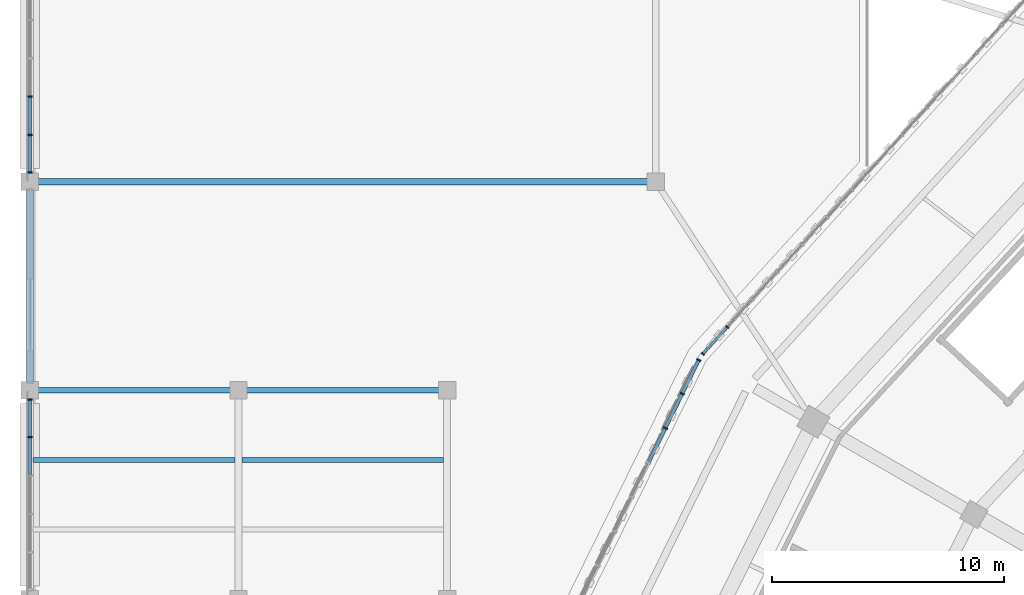
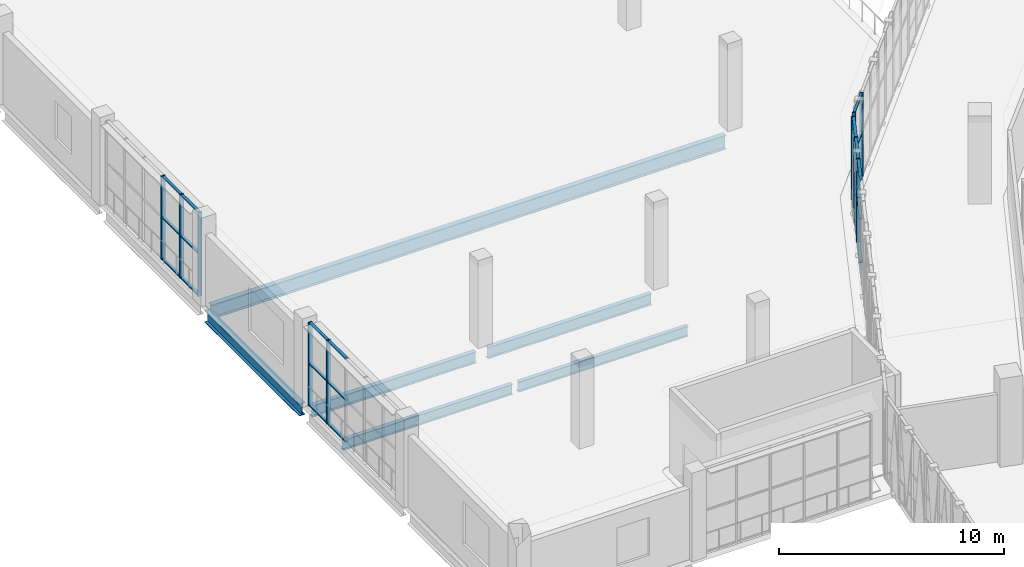
# One storey, part 42 of 152: 34 members, 6 beams, 4 elements without a shape of their own.
"""IFC4 building model written with IfcOpenShell, lengths in metres."""

from ifc_helpers import new_model, si_unit, direction, frame, origin, origin_2d, place, context, subcontext, project, spatial, rectangle, i_section, extrude, material, material_profile, profile_set, type_object, element, aggregate, save


model = new_model("IFC4")

# Units and contexts
model_context = context("Model", 3, precision=1e-05, world=origin(), true_north=direction((0.0, 1.0)))
body_context = subcontext(model_context, "Body", "Model", "MODEL_VIEW")
ifc_project = project(units=[si_unit("LENGTHUNIT", "METRE"), si_unit("AREAUNIT", "SQUARE_METRE"), si_unit("VOLUMEUNIT", "CUBIC_METRE"), si_unit("PLANEANGLEUNIT", "RADIAN"), si_unit("MASSUNIT", "GRAM", prefix="KILO")], contexts=[model_context])

# Site, building, storey
site_placement = place(None, origin())
site = spatial("IfcSite", under=ifc_project, at=site_placement, CompositionType="ELEMENT")
building_placement = place(site_placement, origin())
building = spatial("IfcBuilding", under=site, at=building_placement, Name="Zevraka Park Crest Stadium", CompositionType="ELEMENT")
storey_placement = place(building_placement, frame((0.0, 0.0, 15.0)))
storey = spatial("IfcBuildingStorey", under=building, at=storey_placement, Name="L03", CompositionType="ELEMENT", Elevation=15.0)

# Beams
ifc_material_1 = material(Name="Steel S355", Category="steel")
ifc_material_profile_1 = material_profile(ifc_material_1, i_section(OverallWidth=0.300048828125, OverallDepth=0.64990234375, WebThickness=0.01611328125, FlangeThickness=0.031005859375, at=origin_2d()), Name="HEB 650")
ifc_profile_set_1 = profile_set([ifc_material_profile_1], Name="Steel S355")
beam_type_1 = type_object("IfcBeamType", Name="BG07", PredefinedType="BEAM", material=ifc_profile_set_1)
beam_1_placement = place(storey_placement, frame((0.0, 131.300048828125, -0.633056640625), z_axis=(0.0, 1.0, 0.0), x_axis=(-1.0, 0.0, 0.0)))
element("IfcBeam", 1, at=beam_1_placement, inside=storey, type_object=beam_type_1, Name="Wing Girder BG07 L03-1/QR", PredefinedType="BEAM", context=body_context, shape_type="SweptSolid", body=[
    extrude(i_section(OverallWidth=0.300048828125, OverallDepth=0.64990234375, WebThickness=0.01611328125, FlangeThickness=0.031005859375, at=origin_2d()), origin(), (0.0, 0.0, 1.0), 8.39990234375),
])
ifc_material_2 = material(Name="Steel S355", Category="steel")
ifc_material_profile_2 = material_profile(ifc_material_2, i_section(OverallWidth=0.26708984375, OverallDepth=0.761962890625, WebThickness=0.014404296875, FlangeThickness=0.021484375, at=origin_2d()), Name="UKB 762x267x173")
ifc_profile_set_2 = profile_set([ifc_material_profile_2], Name="Steel S355")
beam_type_2 = type_object("IfcBeamType", Name="BG08", PredefinedType="BEAM", material=ifc_profile_set_2)
beam_2_placement = place(storey_placement, frame((0.300048828125, 140.0, -0.68896484375), z_axis=(1.0, 0.0, 0.0), x_axis=(0.0, 1.0, 0.0)))
element("IfcBeam", 2, at=beam_2_placement, inside=storey, type_object=beam_type_2, Name="Wing Girder BG08 L03-14/R", PredefinedType="BEAM", context=body_context, shape_type="SweptSolid", body=[
    extrude(i_section(OverallWidth=0.26708984375, OverallDepth=0.761962890625, WebThickness=0.014404296875, FlangeThickness=0.021484375, at=origin_2d()), origin(), (0.0, 0.0, 1.0), 26.39990234375),
])
ifc_material_3 = material(Name="Steel S355", Category="steel")
ifc_material_profile_3 = material_profile(ifc_material_3, i_section(OverallWidth=0.22900390625, OverallDepth=0.612060546875, WebThickness=0.011962890625, FlangeThickness=0.01953125, at=origin_2d()), Name="UKB 610x229x125")
ifc_profile_set_3 = profile_set([ifc_material_profile_3], Name="Steel S355")
beam_type_3 = type_object("IfcBeamType", Name="BG09", PredefinedType="BEAM", material=ifc_profile_set_3)
for number, where, z_axis, x_axis, name in (
    (3, (0.300048828125, 131.0, -0.614013671875), (1.0, 0.0, 0.0), (0.0, 1.0, 0.0), "Wing Girder BG09 L03-12/Q"),
    (4, (9.300048828125, 131.0, -0.614013671875), (1.0, 0.0, 0.0), (0.0, 1.0, 0.0), "Wing Girder BG09 L03-23/Q"),
):
    element("IfcBeam", number, at=place(storey_placement, frame(where, z_axis=z_axis, x_axis=x_axis)), inside=storey, type_object=beam_type_3, Name=name, PredefinedType="BEAM", context=body_context, shape_type="SweptSolid", body=[
        extrude(i_section(OverallWidth=0.22900390625, OverallDepth=0.612060546875, WebThickness=0.011962890625, FlangeThickness=0.01953125, at=origin_2d()), origin(), (0.0, 0.0, 1.0), 8.39990234375),
    ])

# Curtain wall, members
ifc_material_4 = material(Name="Anodised architectural aluminium and laminated safety glass", Category="aluminium")
curtain_wall_type_1 = type_object("IfcCurtainWallType", Name="CW13", PredefinedType="NOTDEFINED", material=ifc_material_4)
curtain_wall_1_placement = place(storey_placement, origin())
curtain_wall_1 = element("IfcCurtainWall", 5, at=curtain_wall_1_placement, inside=storey, type_object=curtain_wall_type_1, Name="Unitised Ring Curtain Wall CW13 L03-09", PredefinedType="NOTDEFINED")
ifc_material_5 = material(Name="Anodised architectural aluminium", Category="aluminium")
ifc_material_profile_4 = material_profile(ifc_material_5, rectangle(XDim=0.159912109375, YDim=0.06005859375, at=origin_2d()), Name="ALU MULLION 160x60")
ifc_profile_set_4 = profile_set([ifc_material_profile_4], Name="Anodised architectural aluminium")
member_type_1 = type_object("IfcMemberType", Name="CM01", PredefinedType="MULLION", material=ifc_profile_set_4)
member_1_placement = place(storey_placement, frame((30.09130859375, 133.7333984375, 0.0), z_axis=(0.0, 0.0, 1.0), x_axis=(0.739822878481, -0.672801685845, 0.0)))
member_1 = element("IfcMember", 6, at=member_1_placement, type_object=member_type_1, Name="CW13 mullion 14", PredefinedType="MULLION", context=body_context, shape_type="SweptSolid", body=[
    extrude(rectangle(XDim=0.159912109375, YDim=0.06005859375, at=origin_2d()), origin(), (0.0, 0.0, 1.0), 4.5400390625),
])
member_2_placement = place(storey_placement, frame((29.03515625, 132.572265625, 0.0), z_axis=(0.0, 0.0, 1.0), x_axis=(0.739822878481, -0.672801685845, 0.0)))
member_2 = element("IfcMember", 7, at=member_2_placement, type_object=member_type_1, Name="CW13 mullion 15", PredefinedType="MULLION", context=body_context, shape_type="SweptSolid", body=[
    extrude(rectangle(XDim=0.159912109375, YDim=0.06005859375, at=origin_2d()), origin(), (0.0, 0.0, 1.0), 4.5400390625),
])

ifc_material_6 = material(Name="Anodised architectural aluminium and laminated safety glass", Category="aluminium")
curtain_wall_type_2 = type_object("IfcCurtainWallType", Name="CW12", PredefinedType="NOTDEFINED", material=ifc_material_6)
curtain_wall_2_placement = place(storey_placement, origin())
curtain_wall_2 = element("IfcCurtainWall", 8, at=curtain_wall_2_placement, inside=storey, type_object=curtain_wall_type_2, Name="Unitised Ring Curtain Wall CW12 L03-10", PredefinedType="NOTDEFINED")
ifc_material_7 = material(Name="Anodised architectural aluminium", Category="aluminium")
ifc_material_profile_5 = material_profile(ifc_material_7, rectangle(XDim=0.199951171875, YDim=0.070068359375, at=origin_2d()), Name="ALU MULLION 200x70")
ifc_profile_set_5 = profile_set([ifc_material_profile_5], Name="Anodised architectural aluminium")
member_type_2 = type_object("IfcMemberType", Name="CM03", PredefinedType="MULLION", material=ifc_profile_set_5)
member_3_placement = place(storey_placement, frame((28.856689453125, 132.3076171875, 0.0), z_axis=(0.0, 0.0, 1.0), x_axis=(0.897670958396, -0.440666370912, 0.0)))
member_3 = element("IfcMember", 9, at=member_3_placement, type_object=member_type_2, Name="CW12 mullion 1", PredefinedType="MULLION", context=body_context, shape_type="SweptSolid", body=[
    extrude(rectangle(XDim=0.199951171875, YDim=0.070068359375, at=origin_2d()), origin(), (0.0, 0.0, 1.0), 4.5400390625),
])
member_4_placement = place(storey_placement, frame((28.143798828125, 130.85546875, 0.0), z_axis=(0.0, 0.0, 1.0), x_axis=(0.897670958396, -0.440666370912, 0.0)))
member_4 = element("IfcMember", 10, at=member_4_placement, type_object=member_type_2, Name="CW12 mullion 2", PredefinedType="MULLION", context=body_context, shape_type="SweptSolid", body=[
    extrude(rectangle(XDim=0.199951171875, YDim=0.070068359375, at=origin_2d()), origin(), (0.0, 0.0, 1.0), 4.5400390625),
])
member_5_placement = place(storey_placement, frame((27.41552734375, 129.3720703125, 0.0), z_axis=(0.0, 0.0, 1.0), x_axis=(0.897670958396, -0.440666370912, 0.0)))
member_5 = element("IfcMember", 11, at=member_5_placement, type_object=member_type_2, Name="CW12 mullion 3", PredefinedType="MULLION", context=body_context, shape_type="SweptSolid", body=[
    extrude(rectangle(XDim=0.199951171875, YDim=0.070068359375, at=origin_2d()), origin(), (0.0, 0.0, 1.0), 4.5400390625),
])

ifc_material_8 = material(Name="Anodised architectural aluminium and laminated safety glass", Category="aluminium")
curtain_wall_type_3 = type_object("IfcCurtainWallType", Name="CW30", PredefinedType="NOTDEFINED", material=ifc_material_8)
curtain_wall_3_placement = place(storey_placement, origin())
curtain_wall_3 = element("IfcCurtainWall", 12, at=curtain_wall_3_placement, inside=storey, type_object=curtain_wall_type_3, Name="Wing Curtain Wall CW30 L03-NW-W-2", PredefinedType="NOTDEFINED")
member_6_placement = place(storey_placement, frame((0.0, 128.98095703125, 0.0), z_axis=(0.0, 0.0, 1.0), x_axis=(-1.0, 0.0, 0.0)))
member_6 = element("IfcMember", 13, at=member_6_placement, type_object=member_type_2, Name="CW30 mullion 5", PredefinedType="MULLION", context=body_context, shape_type="SweptSolid", body=[
    extrude(rectangle(XDim=0.199951171875, YDim=0.070068359375, at=origin_2d()), origin(), (0.0, 0.0, 1.0), 4.5400390625),
])
member_7_placement = place(storey_placement, frame((0.0, 130.60009765625, 0.0), z_axis=(0.0, 0.0, 1.0), x_axis=(-1.0, 0.0, 0.0)))
member_7 = element("IfcMember", 14, at=member_7_placement, type_object=member_type_2, Name="CW30 mullion 6", PredefinedType="MULLION", context=body_context, shape_type="SweptSolid", body=[
    extrude(rectangle(XDim=0.199951171875, YDim=0.070068359375, at=origin_2d()), origin(), (0.0, 0.0, 1.0), 4.5400390625),
])

ifc_material_9 = material(Name="Anodised architectural aluminium and laminated safety glass", Category="aluminium")
curtain_wall_type_4 = type_object("IfcCurtainWallType", Name="CW27", PredefinedType="NOTDEFINED", material=ifc_material_9)
curtain_wall_4_placement = place(storey_placement, origin())
curtain_wall_4 = element("IfcCurtainWall", 15, at=curtain_wall_4_placement, inside=storey, type_object=curtain_wall_type_4, Name="Wing Curtain Wall CW27 L03-NW-W-4", PredefinedType="NOTDEFINED")
member_8_placement = place(storey_placement, frame((0.0, 140.39990234375, 0.0), z_axis=(0.0, 0.0, 1.0), x_axis=(-1.0, 0.0, 0.0)))
member_8 = element("IfcMember", 16, at=member_8_placement, type_object=member_type_2, Name="CW27 mullion 1", PredefinedType="MULLION", context=body_context, shape_type="SweptSolid", body=[
    extrude(rectangle(XDim=0.199951171875, YDim=0.070068359375, at=origin_2d()), origin(), (0.0, 0.0, 1.0), 4.5400390625),
])
member_9_placement = place(storey_placement, frame((0.0, 142.01904296875, 0.0), z_axis=(0.0, 0.0, 1.0), x_axis=(-1.0, 0.0, 0.0)))
member_9 = element("IfcMember", 17, at=member_9_placement, type_object=member_type_2, Name="CW27 mullion 2", PredefinedType="MULLION", context=body_context, shape_type="SweptSolid", body=[
    extrude(rectangle(XDim=0.199951171875, YDim=0.070068359375, at=origin_2d()), origin(), (0.0, 0.0, 1.0), 4.5400390625),
])
member_10_placement = place(storey_placement, frame((0.0, 143.673095703125, 0.0), z_axis=(0.0, 0.0, 1.0), x_axis=(-1.0, 0.0, 0.0)))
member_10 = element("IfcMember", 18, at=member_10_placement, type_object=member_type_2, Name="CW27 mullion 3", PredefinedType="MULLION", context=body_context, shape_type="SweptSolid", body=[
    extrude(rectangle(XDim=0.199951171875, YDim=0.070068359375, at=origin_2d()), origin(), (0.0, 0.0, 1.0), 4.5400390625),
])

# Member
ifc_material_10 = material(Name="Anodised architectural aluminium", Category="aluminium")
ifc_material_profile_6 = material_profile(ifc_material_10, rectangle(XDim=0.1201171875, YDim=0.06005859375, at=origin_2d()), Name="ALU TRANSOM 120x60")
ifc_profile_set_6 = profile_set([ifc_material_profile_6], Name="Anodised architectural aluminium")
member_type_3 = type_object("IfcMemberType", Name="CT01", PredefinedType="USERDEFINED", material=ifc_profile_set_6)
member_11_placement = place(storey_placement, frame((30.071044921875, 133.71142578125, 0.030029296875), z_axis=(-0.672753283904, -0.739866892756, 0.0), x_axis=(0.739866892756, -0.672753283904, 0.0)))
member_11 = element("IfcMember", 19, at=member_11_placement, type_object=member_type_3, Name="CW13 transom 14.1", ObjectType="TRANSOM", PredefinedType="USERDEFINED", context=body_context, shape_type="SweptSolid", body=[
    extrude(rectangle(XDim=0.1201171875, YDim=0.06005859375, at=origin_2d()), origin(), (0.0, 0.0, 1.0), 1.509765625),
])

member_12_placement = place(storey_placement, frame((30.071044921875, 133.71142578125, 2.39990234375), z_axis=(-0.672753283904, -0.739866892756, 0.0), x_axis=(0.739866892756, -0.672753283904, 0.0)))
member_12 = element("IfcMember", 20, at=member_12_placement, type_object=member_type_3, Name="CW13 transom 14.2", ObjectType="TRANSOM", PredefinedType="USERDEFINED", context=body_context, shape_type="SweptSolid", body=[
    extrude(rectangle(XDim=0.1201171875, YDim=0.06005859375, at=origin_2d()), origin(), (0.0, 0.0, 1.0), 1.509765625),
])

member_13_placement = place(storey_placement, frame((30.071044921875, 133.71142578125, 4.510009765625), z_axis=(-0.672753283904, -0.739866892756, 0.0), x_axis=(0.739866892756, -0.672753283904, 0.0)))
member_13 = element("IfcMember", 21, at=member_13_placement, type_object=member_type_3, Name="CW13 transom 14.3", ObjectType="TRANSOM", PredefinedType="USERDEFINED", context=body_context, shape_type="SweptSolid", body=[
    extrude(rectangle(XDim=0.1201171875, YDim=0.06005859375, at=origin_2d()), origin(), (0.0, 0.0, 1.0), 1.509765625),
])

aggregate(curtain_wall_1, [member_1, member_2, member_11, member_12, member_13])

ifc_material_11 = material(Name="Anodised architectural aluminium", Category="aluminium")
ifc_material_profile_7 = material_profile(ifc_material_11, rectangle(XDim=0.14990234375, YDim=0.070068359375, at=origin_2d()), Name="ALU TRANSOM 150x70")
ifc_profile_set_7 = profile_set([ifc_material_profile_7], Name="Anodised architectural aluminium")
member_type_4 = type_object("IfcMemberType", Name="CT03", PredefinedType="USERDEFINED", material=ifc_profile_set_7)
member_14_placement = place(storey_placement, frame((28.841064453125, 132.276123046875, 0.034912109375), z_axis=(-0.440638518925, -0.897684630391, 0.0), x_axis=(0.897684630391, -0.440638518925, 0.0)))
member_14 = element("IfcMember", 22, at=member_14_placement, type_object=member_type_4, Name="CW12 transom 1.1", ObjectType="TRANSOM", PredefinedType="USERDEFINED", context=body_context, shape_type="SweptSolid", body=[
    extrude(rectangle(XDim=0.14990234375, YDim=0.070068359375, at=origin_2d()), origin(), (0.0, 0.0, 1.0), 1.547607421875),
])

member_15_placement = place(storey_placement, frame((28.841064453125, 132.276123046875, 2.39990234375), z_axis=(-0.440638518925, -0.897684630391, 0.0), x_axis=(0.897684630391, -0.440638518925, 0.0)))
member_15 = element("IfcMember", 23, at=member_15_placement, type_object=member_type_4, Name="CW12 transom 1.2", ObjectType="TRANSOM", PredefinedType="USERDEFINED", context=body_context, shape_type="SweptSolid", body=[
    extrude(rectangle(XDim=0.14990234375, YDim=0.070068359375, at=origin_2d()), origin(), (0.0, 0.0, 1.0), 1.547607421875),
])

member_16_placement = place(storey_placement, frame((28.841064453125, 132.276123046875, 4.5048828125), z_axis=(-0.440638518925, -0.897684630391, 0.0), x_axis=(0.897684630391, -0.440638518925, 0.0)))
member_16 = element("IfcMember", 24, at=member_16_placement, type_object=member_type_4, Name="CW12 transom 1.3", ObjectType="TRANSOM", PredefinedType="USERDEFINED", context=body_context, shape_type="SweptSolid", body=[
    extrude(rectangle(XDim=0.14990234375, YDim=0.070068359375, at=origin_2d()), origin(), (0.0, 0.0, 1.0), 1.547607421875),
])

member_17_placement = place(storey_placement, frame((28.12841796875, 130.82421875, 0.034912109375), z_axis=(-0.440722911723, -0.897643200321, 0.0), x_axis=(0.897643200321, -0.440722911723, 0.0)))
member_17 = element("IfcMember", 25, at=member_17_placement, type_object=member_type_4, Name="CW12 transom 2.1", ObjectType="TRANSOM", PredefinedType="USERDEFINED", context=body_context, shape_type="SweptSolid", body=[
    extrude(rectangle(XDim=0.14990234375, YDim=0.070068359375, at=origin_2d()), origin(), (0.0, 0.0, 1.0), 1.582763671875),
])

member_18_placement = place(storey_placement, frame((28.12841796875, 130.82421875, 2.39990234375), z_axis=(-0.440722911723, -0.897643200321, 0.0), x_axis=(0.897643200321, -0.440722911723, 0.0)))
member_18 = element("IfcMember", 26, at=member_18_placement, type_object=member_type_4, Name="CW12 transom 2.2", ObjectType="TRANSOM", PredefinedType="USERDEFINED", context=body_context, shape_type="SweptSolid", body=[
    extrude(rectangle(XDim=0.14990234375, YDim=0.070068359375, at=origin_2d()), origin(), (0.0, 0.0, 1.0), 1.582763671875),
])

member_19_placement = place(storey_placement, frame((28.12841796875, 130.82421875, 4.5048828125), z_axis=(-0.440722911723, -0.897643200321, 0.0), x_axis=(0.897643200321, -0.440722911723, 0.0)))
member_19 = element("IfcMember", 27, at=member_19_placement, type_object=member_type_4, Name="CW12 transom 2.3", ObjectType="TRANSOM", PredefinedType="USERDEFINED", context=body_context, shape_type="SweptSolid", body=[
    extrude(rectangle(XDim=0.14990234375, YDim=0.070068359375, at=origin_2d()), origin(), (0.0, 0.0, 1.0), 1.582763671875),
])

member_20_placement = place(storey_placement, frame((27.400146484375, 129.340576171875, 0.034912109375), z_axis=(-0.440722911723, -0.897643200321, 0.0), x_axis=(0.897643200321, -0.440722911723, 0.0)))
member_20 = element("IfcMember", 28, at=member_20_placement, type_object=member_type_4, Name="CW12 transom 3.1", ObjectType="TRANSOM", PredefinedType="USERDEFINED", context=body_context, shape_type="SweptSolid", body=[
    extrude(rectangle(XDim=0.14990234375, YDim=0.070068359375, at=origin_2d()), origin(), (0.0, 0.0, 1.0), 1.582763671875),
])

member_21_placement = place(storey_placement, frame((27.400146484375, 129.340576171875, 2.39990234375), z_axis=(-0.440722911723, -0.897643200321, 0.0), x_axis=(0.897643200321, -0.440722911723, 0.0)))
member_21 = element("IfcMember", 29, at=member_21_placement, type_object=member_type_4, Name="CW12 transom 3.2", ObjectType="TRANSOM", PredefinedType="USERDEFINED", context=body_context, shape_type="SweptSolid", body=[
    extrude(rectangle(XDim=0.14990234375, YDim=0.070068359375, at=origin_2d()), origin(), (0.0, 0.0, 1.0), 1.582763671875),
])

member_22_placement = place(storey_placement, frame((27.400146484375, 129.340576171875, 4.5048828125), z_axis=(-0.440722911723, -0.897643200321, 0.0), x_axis=(0.897643200321, -0.440722911723, 0.0)))
member_22 = element("IfcMember", 30, at=member_22_placement, type_object=member_type_4, Name="CW12 transom 3.3", ObjectType="TRANSOM", PredefinedType="USERDEFINED", context=body_context, shape_type="SweptSolid", body=[
    extrude(rectangle(XDim=0.14990234375, YDim=0.070068359375, at=origin_2d()), origin(), (0.0, 0.0, 1.0), 1.582763671875),
])

aggregate(curtain_wall_2, [member_3, member_4, member_5, member_14, member_15, member_16, member_17, member_18, member_19, member_20, member_21, member_22])

member_23_placement = place(storey_placement, frame((0.0, 127.362060546875, 0.034912109375), z_axis=(0.0, 1.0, 0.0), x_axis=(-1.0, 0.0, 0.0)))
member_23 = element("IfcMember", 31, at=member_23_placement, type_object=member_type_4, Name="CW30 transom 4.1", ObjectType="TRANSOM", PredefinedType="USERDEFINED", context=body_context, shape_type="SweptSolid", body=[
    extrude(rectangle(XDim=0.14990234375, YDim=0.070068359375, at=origin_2d()), origin(), (0.0, 0.0, 1.0), 1.583984375),
])

member_24_placement = place(storey_placement, frame((0.0, 127.362060546875, 2.300048828125), z_axis=(0.0, 1.0, 0.0), x_axis=(-1.0, 0.0, 0.0)))
member_24 = element("IfcMember", 32, at=member_24_placement, type_object=member_type_4, Name="CW30 transom 4.2", ObjectType="TRANSOM", PredefinedType="USERDEFINED", context=body_context, shape_type="SweptSolid", body=[
    extrude(rectangle(XDim=0.14990234375, YDim=0.070068359375, at=origin_2d()), origin(), (0.0, 0.0, 1.0), 1.583984375),
])

member_25_placement = place(storey_placement, frame((0.0, 127.362060546875, 4.5048828125), z_axis=(0.0, 1.0, 0.0), x_axis=(-1.0, 0.0, 0.0)))
member_25 = element("IfcMember", 33, at=member_25_placement, type_object=member_type_4, Name="CW30 transom 4.3", ObjectType="TRANSOM", PredefinedType="USERDEFINED", context=body_context, shape_type="SweptSolid", body=[
    extrude(rectangle(XDim=0.14990234375, YDim=0.070068359375, at=origin_2d()), origin(), (0.0, 0.0, 1.0), 1.583984375),
])

member_26_placement = place(storey_placement, frame((0.0, 129.01611328125, 0.034912109375), z_axis=(0.0, 1.0, 0.0), x_axis=(-1.0, 0.0, 0.0)))
member_26 = element("IfcMember", 34, at=member_26_placement, type_object=member_type_4, Name="CW30 transom 5.1", ObjectType="TRANSOM", PredefinedType="USERDEFINED", context=body_context, shape_type="SweptSolid", body=[
    extrude(rectangle(XDim=0.14990234375, YDim=0.070068359375, at=origin_2d()), origin(), (0.0, 0.0, 1.0), 1.548828125),
])

member_27_placement = place(storey_placement, frame((0.0, 129.01611328125, 2.300048828125), z_axis=(0.0, 1.0, 0.0), x_axis=(-1.0, 0.0, 0.0)))
member_27 = element("IfcMember", 35, at=member_27_placement, type_object=member_type_4, Name="CW30 transom 5.2", ObjectType="TRANSOM", PredefinedType="USERDEFINED", context=body_context, shape_type="SweptSolid", body=[
    extrude(rectangle(XDim=0.14990234375, YDim=0.070068359375, at=origin_2d()), origin(), (0.0, 0.0, 1.0), 1.548828125),
])

member_28_placement = place(storey_placement, frame((0.0, 129.01611328125, 4.5048828125), z_axis=(0.0, 1.0, 0.0), x_axis=(-1.0, 0.0, 0.0)))
member_28 = element("IfcMember", 36, at=member_28_placement, type_object=member_type_4, Name="CW30 transom 5.3", ObjectType="TRANSOM", PredefinedType="USERDEFINED", context=body_context, shape_type="SweptSolid", body=[
    extrude(rectangle(XDim=0.14990234375, YDim=0.070068359375, at=origin_2d()), origin(), (0.0, 0.0, 1.0), 1.548828125),
])

aggregate(curtain_wall_3, [member_6, member_7, member_23, member_24, member_25, member_26, member_27, member_28])

member_29_placement = place(storey_placement, frame((0.0, 140.43505859375, 0.034912109375), z_axis=(0.0, 1.0, 0.0), x_axis=(-1.0, 0.0, 0.0)))
member_29 = element("IfcMember", 37, at=member_29_placement, type_object=member_type_4, Name="CW27 transom 1.1", ObjectType="TRANSOM", PredefinedType="USERDEFINED", context=body_context, shape_type="SweptSolid", body=[
    extrude(rectangle(XDim=0.14990234375, YDim=0.070068359375, at=origin_2d()), origin(), (0.0, 0.0, 1.0), 1.548828125),
])

member_30_placement = place(storey_placement, frame((0.0, 140.43505859375, 2.300048828125), z_axis=(0.0, 1.0, 0.0), x_axis=(-1.0, 0.0, 0.0)))
member_30 = element("IfcMember", 38, at=member_30_placement, type_object=member_type_4, Name="CW27 transom 1.2", ObjectType="TRANSOM", PredefinedType="USERDEFINED", context=body_context, shape_type="SweptSolid", body=[
    extrude(rectangle(XDim=0.14990234375, YDim=0.070068359375, at=origin_2d()), origin(), (0.0, 0.0, 1.0), 1.548828125),
])

member_31_placement = place(storey_placement, frame((0.0, 140.43505859375, 4.5048828125), z_axis=(0.0, 1.0, 0.0), x_axis=(-1.0, 0.0, 0.0)))
member_31 = element("IfcMember", 39, at=member_31_placement, type_object=member_type_4, Name="CW27 transom 1.3", ObjectType="TRANSOM", PredefinedType="USERDEFINED", context=body_context, shape_type="SweptSolid", body=[
    extrude(rectangle(XDim=0.14990234375, YDim=0.070068359375, at=origin_2d()), origin(), (0.0, 0.0, 1.0), 1.548828125),
])

member_32_placement = place(storey_placement, frame((0.0, 142.053955078125, 0.034912109375), z_axis=(0.0, 1.0, 0.0), x_axis=(-1.0, 0.0, 0.0)))
member_32 = element("IfcMember", 40, at=member_32_placement, type_object=member_type_4, Name="CW27 transom 2.1", ObjectType="TRANSOM", PredefinedType="USERDEFINED", context=body_context, shape_type="SweptSolid", body=[
    extrude(rectangle(XDim=0.14990234375, YDim=0.070068359375, at=origin_2d()), origin(), (0.0, 0.0, 1.0), 1.583984375),
])

member_33_placement = place(storey_placement, frame((0.0, 142.053955078125, 2.300048828125), z_axis=(0.0, 1.0, 0.0), x_axis=(-1.0, 0.0, 0.0)))
member_33 = element("IfcMember", 41, at=member_33_placement, type_object=member_type_4, Name="CW27 transom 2.2", ObjectType="TRANSOM", PredefinedType="USERDEFINED", context=body_context, shape_type="SweptSolid", body=[
    extrude(rectangle(XDim=0.14990234375, YDim=0.070068359375, at=origin_2d()), origin(), (0.0, 0.0, 1.0), 1.583984375),
])

member_34_placement = place(storey_placement, frame((0.0, 142.053955078125, 4.5048828125), z_axis=(0.0, 1.0, 0.0), x_axis=(-1.0, 0.0, 0.0)))
member_34 = element("IfcMember", 42, at=member_34_placement, type_object=member_type_4, Name="CW27 transom 2.3", ObjectType="TRANSOM", PredefinedType="USERDEFINED", context=body_context, shape_type="SweptSolid", body=[
    extrude(rectangle(XDim=0.14990234375, YDim=0.070068359375, at=origin_2d()), origin(), (0.0, 0.0, 1.0), 1.583984375),
])

aggregate(curtain_wall_4, [member_8, member_9, member_10, member_29, member_30, member_31, member_32, member_33, member_34])

# Beams
ifc_material_12 = material(Name="Steel S355", Category="steel")
ifc_material_profile_8 = material_profile(ifc_material_12, i_section(OverallWidth=0.2099609375, OverallDepth=0.550048828125, WebThickness=0.010986328125, FlangeThickness=0.01708984375, at=origin_2d()), Name="IPE 550")
ifc_profile_set_8 = profile_set([ifc_material_profile_8], Name="Steel S355")
beam_type_4 = type_object("IfcBeamType", Name="SJ04", PredefinedType="JOIST", material=ifc_profile_set_8)
for number, where, z_axis, x_axis, name in (
    (43, (0.14501953125, 128.0, -0.5849609375), (1.0, 0.0, 0.0), (0.0, 1.0, 0.0), "Wing Joist SJ04 L03-1/P-2"),
    (44, (9.14501953125, 128.0, -0.5849609375), (1.0, 0.0, 0.0), (0.0, 1.0, 0.0), "Wing Joist SJ04 L03-2/P-2"),
):
    element("IfcBeam", number, at=place(storey_placement, frame(where, z_axis=z_axis, x_axis=x_axis)), inside=storey, type_object=beam_type_4, Name=name, PredefinedType="JOIST", context=body_context, shape_type="SweptSolid", body=[
        extrude(i_section(OverallWidth=0.2099609375, OverallDepth=0.550048828125, WebThickness=0.010986328125, FlangeThickness=0.01708984375, at=origin_2d()), origin(), (0.0, 0.0, 1.0), 8.7099609375),
    ])

save(model, "model.ifc")
